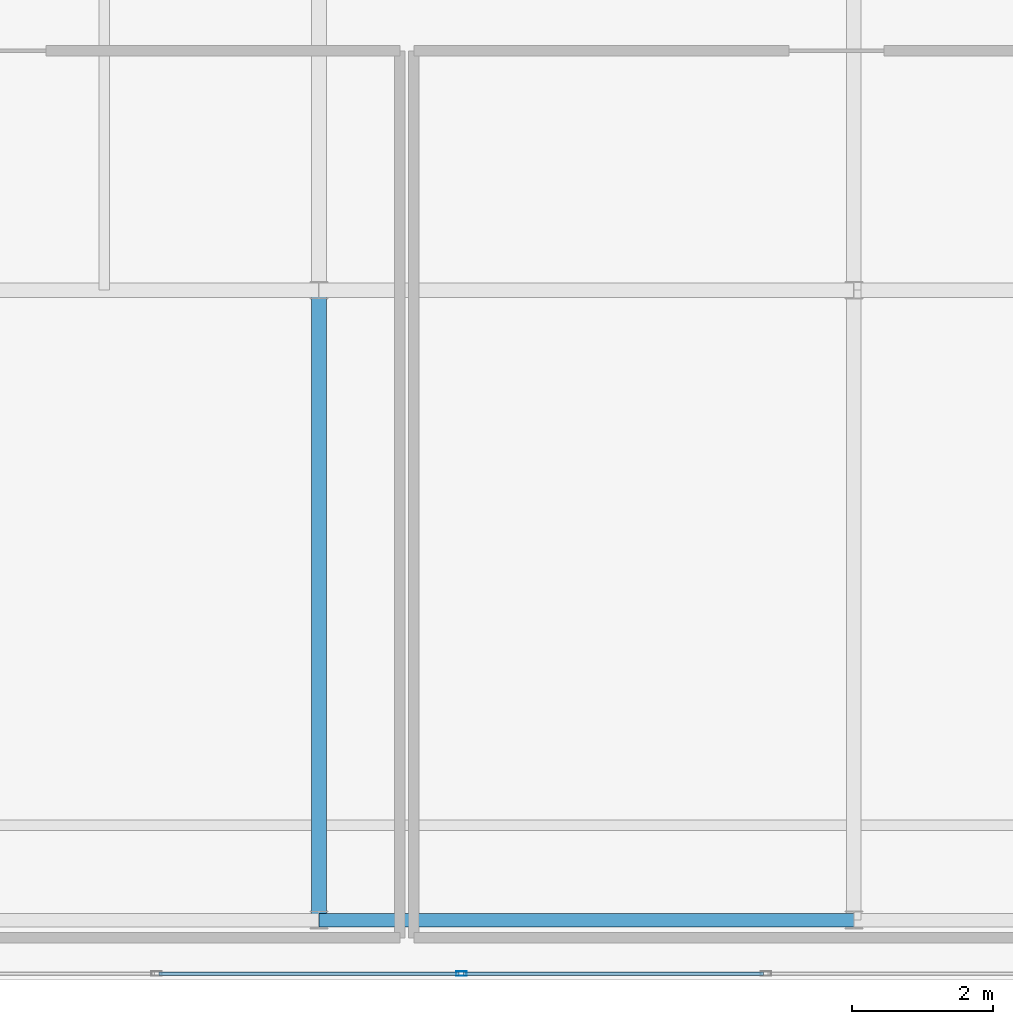
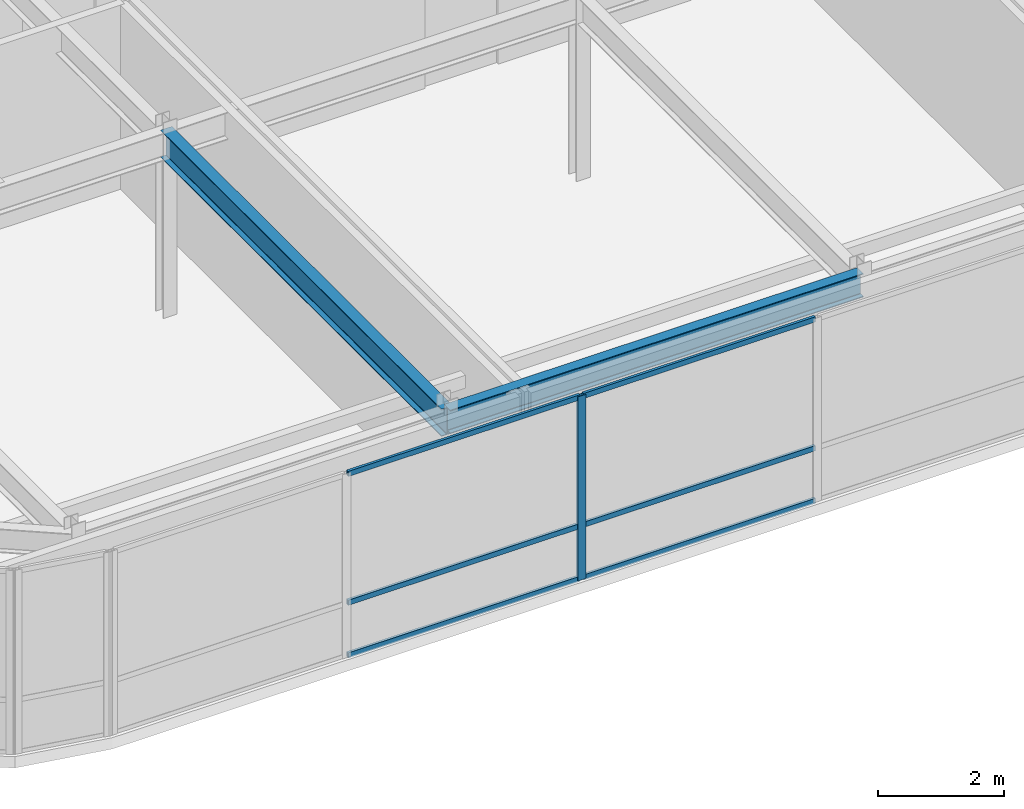
# One storey, part 7 of 36: 7 members, 2 beams, 1 element without a shape of its own.
"""IFC4 building model written with IfcOpenShell, lengths in metres."""

from ifc_helpers import new_model, si_unit, direction, frame, origin, origin_2d, place, context, subcontext, project, spatial, hollow_rectangle, i_section, extrude, source, transform, mapped, material, layer, layer_set, material_profile, profile_set, type_object, type_shapes, element, aggregate, save


model = new_model("IFC4")

# Units and contexts
model_context = context("Model", 3, precision=1e-05, world=origin(), true_north=direction((0.0, 1.0)))
body_context = subcontext(model_context, "Body", "Model", "MODEL_VIEW")
ifc_project = project(units=[si_unit("LENGTHUNIT", "METRE"), si_unit("AREAUNIT", "SQUARE_METRE"), si_unit("VOLUMEUNIT", "CUBIC_METRE"), si_unit("PLANEANGLEUNIT", "RADIAN"), si_unit("MASSUNIT", "GRAM", prefix="KILO")], contexts=[model_context])

# Site, building, storey
site_placement = place(None, origin())
site = spatial("IfcSite", under=ifc_project, at=site_placement, CompositionType="ELEMENT")
building_placement = place(site_placement, origin())
building = spatial("IfcBuilding", under=site, at=building_placement, Name="Tolvann Quenvar Hotel", CompositionType="ELEMENT")
storey_placement = place(building_placement, frame((0.0, 0.0, 306.14990234375)))
storey = spatial("IfcBuildingStorey", under=building, at=storey_placement, Name="L81", CompositionType="ELEMENT", Elevation=306.14990234375)

# Beams
ifc_material_1 = material(Name="Steel Grade 350", Category="steel")
ifc_material_profile_1 = material_profile(ifc_material_1, i_section(OverallWidth=0.19091796875, OverallDepth=0.4599609375, WebThickness=0.010009765625, FlangeThickness=0.01611328125, FilletRadius=0.011474609375, at=origin_2d()), Name="460UB82")
ifc_profile_set_1 = profile_set([ifc_material_profile_1], Name="Steel Grade 350")
beam_type_1 = type_object("IfcBeamType", Name="BM_SPAND_460UB82", PredefinedType="SPANDREL", material=ifc_profile_set_1)
shared_shape_1 = source(origin(), body_context, "Body", "SweptSolid", [
    extrude(i_section(OverallWidth=0.19091796875, OverallDepth=0.4599609375, WebThickness=0.010009765625, FlangeThickness=0.01611328125, FilletRadius=0.011474609375, at=origin_2d()), origin(), (0.0, 0.0, 1.0), 7.60009765625),
])
type_shapes(beam_type_1, [shared_shape_1])
beam_1_placement = place(storey_placement, frame((14.449951171875, 7.050048828125, 3.35009765625), z_axis=(1.0, 0.0, 0.0), x_axis=(0.0, 1.0, 0.0)))
element("IfcBeam", 1, at=beam_1_placement, inside=storey, type_object=beam_type_1, Name="BM-L81-EW-2-D2-E2", PredefinedType="SPANDREL", context=body_context, shape_type="MappedRepresentation", body=[
    mapped(shared_shape_1, transform((0.0, 0.0, 0.0), x_axis=(1.0, 0.0, 0.0), y_axis=(0.0, 1.0, 0.0), z_axis=(0.0, 0.0, 1.0), scale=1.0)),
])
ifc_material_profile_2 = material_profile(ifc_material_1, i_section(OverallWidth=0.208984375, OverallDepth=0.532958984375, WebThickness=0.01025390625, FlangeThickness=0.015625, FilletRadius=0.013916015625, at=origin_2d()), Name="530UB92")
ifc_profile_set_2 = profile_set([ifc_material_profile_2], Name="Steel Grade 350")
beam_type_2 = type_object("IfcBeamType", Name="BM_GIRD_530UB92", PredefinedType="BEAM", material=ifc_profile_set_2)
shared_shape_2 = source(origin(), body_context, "Body", "SweptSolid", [
    extrude(i_section(OverallWidth=0.208984375, OverallDepth=0.532958984375, WebThickness=0.01025390625, FlangeThickness=0.015625, FilletRadius=0.013916015625, at=origin_2d()), origin(), (0.0, 0.0, 1.0), 8.949951171875),
])
type_shapes(beam_type_2, [shared_shape_2])
beam_2_placement = place(storey_placement, frame((14.449951171875, 7.050048828125, 3.3134765625), z_axis=(0.0, 1.0, 0.0), x_axis=(-1.0, 0.0, 0.0)))
element("IfcBeam", 2, at=beam_2_placement, inside=storey, type_object=beam_type_2, Name="BM-L81-NS-D2-D4", PredefinedType="BEAM", context=body_context, shape_type="MappedRepresentation", body=[
    mapped(shared_shape_2, transform((0.0, 0.0, 0.0), x_axis=(1.0, 0.0, 0.0), y_axis=(0.0, 1.0, 0.0), z_axis=(0.0, 0.0, 1.0), scale=1.0)),
])

# Curtain wall, members
ifc_material_2 = material(Name="Thermally broken anodised architectural aluminium 6063-T6 and laminated low-E glass", Category="aluminium")
ifc_layer = layer(ifc_material_2, 0.179931640625)
ifc_layer_set = layer_set([ifc_layer], Name="Thermally broken anodised architectural aluminium 6063-T6 and laminated low-E glass")
curtain_wall_type = type_object("IfcCurtainWallType", Name="CW_SYS_LANT_06", PredefinedType="USERDEFINED", material=ifc_layer_set)
curtain_wall_placement = place(storey_placement, origin())
curtain_wall = element("IfcCurtainWall", 3, at=curtain_wall_placement, inside=storey, type_object=curtain_wall_type, Name="Curtain Wall CW-LANT-06 (CWR-L81-E04)", ObjectType="UNITISED CURTAIN WALL", PredefinedType="USERDEFINED")
ifc_material_3 = material(Name="Anodised architectural aluminium 6063-T6 framing", Category="aluminium")
ifc_material_profile_3 = material_profile(ifc_material_3, hollow_rectangle(XDim=0.06494140625, YDim=0.14990234375, WallThickness=0.00390625, at=origin_2d()), Name="150x65x4RHS")
ifc_profile_set_3 = profile_set([ifc_material_profile_3], Name="Anodised architectural aluminium 6063-T6 framing")
member_type_1 = type_object("IfcMemberType", Name="CW_MULL_150x65", PredefinedType="MULLION", material=ifc_profile_set_3)
shared_shape_3 = source(origin(), body_context, "Body", "SweptSolid", [
    extrude(hollow_rectangle(XDim=0.06494140625, YDim=0.14990234375, WallThickness=0.00390625, at=origin_2d()), origin(), (0.0, 0.0, 1.0), 3.580078125),
])
type_shapes(member_type_1, [shared_shape_3])
member_1_placement = place(storey_placement, frame((16.472412109375, 6.2900390625, 0.0), z_axis=(0.0, 0.0, 1.0), x_axis=(0.0, 1.0, 0.0)))
member_1 = element("IfcMember", 4, at=member_1_placement, type_object=member_type_1, Name="CW-LANT-06 mullion 3", PredefinedType="MULLION", context=body_context, shape_type="MappedRepresentation", body=[
    mapped(shared_shape_3, transform((0.0, 0.0, 0.0), x_axis=(1.0, 0.0, 0.0), y_axis=(0.0, 1.0, 0.0), z_axis=(0.0, 0.0, 1.0), scale=1.0)),
])
ifc_material_profile_4 = material_profile(ifc_material_3, hollow_rectangle(XDim=0.050048828125, YDim=0.10009765625, WallThickness=0.0029296875, at=origin_2d()), Name="100x50x3RHS")
ifc_profile_set_4 = profile_set([ifc_material_profile_4], Name="Anodised architectural aluminium 6063-T6 framing")
member_type_2 = type_object("IfcMemberType", Name="CW_TRAN_100x50", PredefinedType="USERDEFINED", material=ifc_profile_set_4)
shared_shape_4 = source(origin(), body_context, "Body", "SweptSolid", [
    extrude(hollow_rectangle(XDim=0.050048828125, YDim=0.10009765625, WallThickness=0.0029296875, at=origin_2d()), origin(), (0.0, 0.0, 1.0), 4.2626953125),
])
type_shapes(member_type_2, [shared_shape_4])
member_2_placement = place(storey_placement, frame((12.17724609375, 6.2900390625, 0.025146484375), z_axis=(1.0, 0.0, 0.0), x_axis=(0.0, 1.0, 0.0)))
member_2 = element("IfcMember", 5, at=member_2_placement, type_object=member_type_2, Name="CW-LANT-06 transom 2.1", ObjectType="TRANSOM", PredefinedType="USERDEFINED", context=body_context, shape_type="MappedRepresentation", body=[
    mapped(shared_shape_4, transform((0.0, 0.0, 0.0), x_axis=(1.0, 0.0, 0.0), y_axis=(0.0, 1.0, 0.0), z_axis=(0.0, 0.0, 1.0), scale=1.0)),
])
member_3_placement = place(storey_placement, frame((12.17724609375, 6.2900390625, 1.050048828125), z_axis=(1.0, 0.0, 0.0), x_axis=(0.0, 1.0, 0.0)))
member_3 = element("IfcMember", 6, at=member_3_placement, type_object=member_type_2, Name="CW-LANT-06 transom 2.2", ObjectType="TRANSOM", PredefinedType="USERDEFINED", context=body_context, shape_type="MappedRepresentation", body=[
    mapped(shared_shape_4, transform((0.0, 0.0, 0.0), x_axis=(1.0, 0.0, 0.0), y_axis=(0.0, 1.0, 0.0), z_axis=(0.0, 0.0, 1.0), scale=1.0)),
])
member_4_placement = place(storey_placement, frame((12.17724609375, 6.2900390625, 3.55517578125), z_axis=(1.0, 0.0, 0.0), x_axis=(0.0, 1.0, 0.0)))
member_4 = element("IfcMember", 7, at=member_4_placement, type_object=member_type_2, Name="CW-LANT-06 transom 2.3", ObjectType="TRANSOM", PredefinedType="USERDEFINED", context=body_context, shape_type="MappedRepresentation", body=[
    mapped(shared_shape_4, transform((0.0, 0.0, 0.0), x_axis=(1.0, 0.0, 0.0), y_axis=(0.0, 1.0, 0.0), z_axis=(0.0, 0.0, 1.0), scale=1.0)),
])
member_5_placement = place(storey_placement, frame((16.5048828125, 6.2900390625, 0.025146484375), z_axis=(1.0, 0.0, 0.0), x_axis=(0.0, 1.0, 0.0)))
member_5 = element("IfcMember", 8, at=member_5_placement, type_object=member_type_2, Name="CW-LANT-06 transom 3.1", ObjectType="TRANSOM", PredefinedType="USERDEFINED", context=body_context, shape_type="MappedRepresentation", body=[
    mapped(shared_shape_4, transform((0.0, 0.0, 0.0), x_axis=(1.0, 0.0, 0.0), y_axis=(0.0, 1.0, 0.0), z_axis=(0.0, 0.0, 1.0), scale=1.0)),
])
member_6_placement = place(storey_placement, frame((16.5048828125, 6.2900390625, 1.050048828125), z_axis=(1.0, 0.0, 0.0), x_axis=(0.0, 1.0, 0.0)))
member_6 = element("IfcMember", 9, at=member_6_placement, type_object=member_type_2, Name="CW-LANT-06 transom 3.2", ObjectType="TRANSOM", PredefinedType="USERDEFINED", context=body_context, shape_type="MappedRepresentation", body=[
    mapped(shared_shape_4, transform((0.0, 0.0, 0.0), x_axis=(1.0, 0.0, 0.0), y_axis=(0.0, 1.0, 0.0), z_axis=(0.0, 0.0, 1.0), scale=1.0)),
])
member_7_placement = place(storey_placement, frame((16.5048828125, 6.2900390625, 3.55517578125), z_axis=(1.0, 0.0, 0.0), x_axis=(0.0, 1.0, 0.0)))
member_7 = element("IfcMember", 10, at=member_7_placement, type_object=member_type_2, Name="CW-LANT-06 transom 3.3", ObjectType="TRANSOM", PredefinedType="USERDEFINED", context=body_context, shape_type="MappedRepresentation", body=[
    mapped(shared_shape_4, transform((0.0, 0.0, 0.0), x_axis=(1.0, 0.0, 0.0), y_axis=(0.0, 1.0, 0.0), z_axis=(0.0, 0.0, 1.0), scale=1.0)),
])
aggregate(curtain_wall, [member_1, member_2, member_3, member_4, member_5, member_6, member_7])

save(model, "model.ifc")
